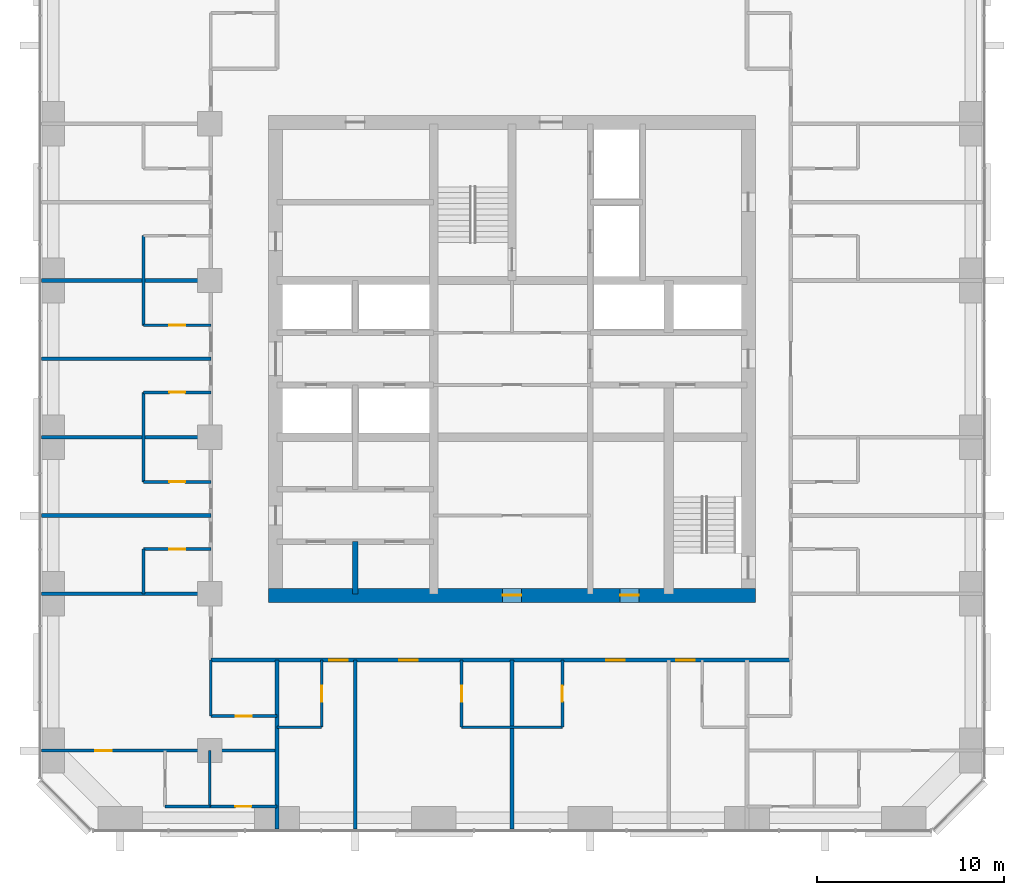
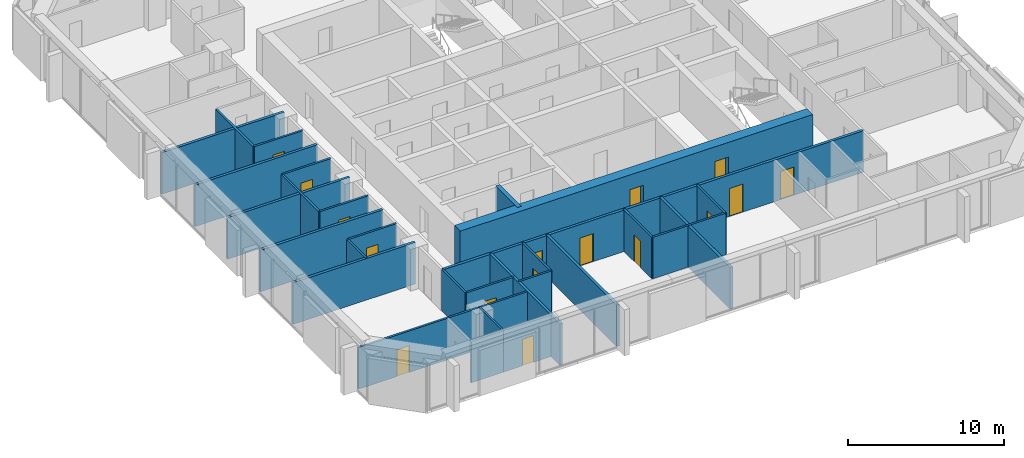
# One storey, part 8 of 13: 29 walls, 16 doors, 16 openings.
"""IFC4 building model written with IfcOpenShell, lengths in metres."""

from ifc_helpers import new_model, si_unit, direction, frame, frame_2d, origin, place, context, subcontext, project, spatial, rectangle, extrude, material, layer, layer_set, type_object, element, fill, save


model = new_model("IFC4")

# Units and contexts
model_context = context("Model", 3, precision=1e-05, world=origin(), true_north=direction((0.0, 1.0)))
body_context = subcontext(model_context, "Body", "Model", "MODEL_VIEW")
ifc_project = project(units=[si_unit("LENGTHUNIT", "METRE"), si_unit("AREAUNIT", "SQUARE_METRE"), si_unit("VOLUMEUNIT", "CUBIC_METRE"), si_unit("PLANEANGLEUNIT", "RADIAN"), si_unit("MASSUNIT", "GRAM", prefix="KILO")], contexts=[model_context])

# Site, building, storey
site_placement = place(None, origin())
site = spatial("IfcSite", under=ifc_project, at=site_placement, CompositionType="ELEMENT")
building_placement = place(site_placement, origin())
building = spatial("IfcBuilding", under=site, at=building_placement, Name="Dunama Terrace Hotel", CompositionType="ELEMENT")
storey_placement = place(building_placement, frame((0.0, 0.0, 173.39990234375)))
storey = spatial("IfcBuildingStorey", under=building, at=storey_placement, Name="L44", CompositionType="ELEMENT", Elevation=173.39990234375)

# Walls
ifc_material_1 = material(Name="Gypsum board partition", Category="masonry")
ifc_layer_1 = layer(ifc_material_1, 0.14990234375)
ifc_layer_set_1 = layer_set([ifc_layer_1], Name="Bathroom partition 150")
wall_type_1 = type_object("IfcWallType", Name="Bathroom partition 150", PredefinedType="PARTITIONING", material=ifc_layer_set_1)
wall_1_placement = place(storey_placement, frame((9.64990234375, 16.800048828125, 0.0), z_axis=(0.0, 0.0, 1.0), x_axis=(0.0, 1.0, 0.0)))
element("IfcWall", 1, at=wall_1_placement, inside=storey, type_object=wall_type_1, Name="Bathroom partition 150 L44", PredefinedType="PARTITIONING", context=body_context, shape_type="SweptSolid", body=[
    extrude(rectangle(XDim=2.39990234375, YDim=0.14990234375, at=frame_2d((1.199951171875, 0.0))), origin(), (0.0, 0.0, 1.0), 3.25),
])
for number, where, z_axis, x_axis, name in (
    (2, (9.64990234375, 22.800048828125, 0.0), (0.0, 0.0, 1.0), (0.0, 1.0, 0.0), "Bathroom partition 150 L44"),
    (3, (9.64990234375, 31.199951171875, 0.0), (0.0, 0.0, 1.0), (0.0, 1.0, 0.0), "Bathroom partition 150 L44"),
):
    element("IfcWall", number, at=place(storey_placement, frame(where, z_axis=z_axis, x_axis=x_axis)), inside=storey, type_object=wall_type_1, Name=name, PredefinedType="PARTITIONING", context=body_context, shape_type="SweptSolid", body=[
        extrude(rectangle(XDim=4.800048828125, YDim=0.14990234375, at=frame_2d((2.39990234375, 0.0))), origin(), (0.0, 0.0, 1.0), 3.25),
    ])
wall_2_placement = place(storey_placement, frame((13.25, 10.25, 0.0), z_axis=(0.0, 0.0, 1.0), x_axis=(0.0, 1.0, 0.0)))
element("IfcWall", 4, at=wall_2_placement, inside=storey, type_object=wall_type_1, Name="Bathroom partition 150 L44", PredefinedType="PARTITIONING", context=body_context, shape_type="SweptSolid", body=[
    extrude(rectangle(XDim=3.0, YDim=0.14990234375, at=frame_2d((1.5, 0.0))), origin(), (0.0, 0.0, 1.0), 3.25),
])

# Wall, opening, door
wall_3_placement = place(storey_placement, frame((19.199951171875, 9.64990234375, 0.0), z_axis=(0.0, 0.0, 1.0), x_axis=(0.0, 1.0, 0.0)))
wall_3 = element("IfcWall", 5, at=wall_3_placement, inside=storey, type_object=wall_type_1, Name="Bathroom partition 150 L44", PredefinedType="PARTITIONING", context=body_context, shape_type="SweptSolid", body=[
    extrude(rectangle(XDim=3.60009765625, YDim=0.14990234375, at=frame_2d((1.800048828125, 0.0))), origin(), (0.0, 0.0, 1.0), 3.25),
])
opening_1_placement = place(wall_3_placement, frame((1.375, 0.0, 0.0)))
opening_1 = element("IfcOpeningElement", 6, at=opening_1_placement, cuts=wall_3, Name="Opening L42-44-010", PredefinedType="OPENING", context=body_context, shape_type="SweptSolid", body=[
    extrude(rectangle(XDim=0.85009765625, YDim=2.10009765625, at=frame_2d((0.425048828125, 1.050048828125))), frame((0.0, 0.0849609375, 0.0), z_axis=(0.0, -1.0, 0.0), x_axis=(1.0, 0.0, 0.0)), (0.0, 0.0, 1.0), 0.169921875),
])
ifc_material_2 = material(Name="Timber door with steel frame", Category="steel")
door_type_1 = type_object("IfcDoorType", Name="Bathroom door 850", OperationType="SINGLE_SWING_LEFT", PredefinedType="DOOR", material=ifc_material_2)
door_1_placement = place(opening_1_placement, origin())
door_1 = element("IfcDoor", 7, at=door_1_placement, inside=storey, type_object=door_type_1, Name="Door to en-suite bathroom L42-44-010, type D2", OperationType="SINGLE_SWING_RIGHT", OverallHeight=2.10009765625, OverallWidth=0.85009765625, PredefinedType="DOOR", context=body_context, shape_type="SweptSolid", body=[
    extrude(rectangle(XDim=0.85009765625, YDim=2.10009765625, at=frame_2d((0.425048828125, 1.050048828125))), frame((0.0, 0.02490234375, 0.0), z_axis=(0.0, -1.0, 0.0), x_axis=(1.0, 0.0, 0.0)), (0.0, 0.0, 1.0), 0.050048828125),
])
fill(opening_1, door_1)

wall_4_placement = place(storey_placement, frame((26.699951171875, 9.64990234375, 0.0), z_axis=(0.0, 0.0, 1.0), x_axis=(0.0, 1.0, 0.0)))
wall_4 = element("IfcWall", 8, at=wall_4_placement, inside=storey, type_object=wall_type_1, Name="Bathroom partition 150 L44", PredefinedType="PARTITIONING", context=body_context, shape_type="SweptSolid", body=[
    extrude(rectangle(XDim=3.60009765625, YDim=0.14990234375, at=frame_2d((1.800048828125, 0.0))), origin(), (0.0, 0.0, 1.0), 3.25),
])
opening_2_placement = place(wall_4_placement, frame((1.375, 0.0, 0.0)))
opening_2 = element("IfcOpeningElement", 9, at=opening_2_placement, cuts=wall_4, Name="Opening L42-44-012", PredefinedType="OPENING", context=body_context, shape_type="SweptSolid", body=[
    extrude(rectangle(XDim=0.85009765625, YDim=2.10009765625, at=frame_2d((0.425048828125, 1.050048828125))), frame((0.0, 0.0849609375, 0.0), z_axis=(0.0, -1.0, 0.0), x_axis=(1.0, 0.0, 0.0)), (0.0, 0.0, 1.0), 0.169921875),
])
door_2_placement = place(opening_2_placement, frame((0.85009765625, 0.0, 0.0), z_axis=(0.0, 0.0, 1.0), x_axis=(-1.0, 0.0, 0.0)))
door_2 = element("IfcDoor", 10, at=door_2_placement, inside=storey, type_object=door_type_1, Name="Door to en-suite bathroom L42-44-012, type D2", OperationType="SINGLE_SWING_LEFT", OverallHeight=2.10009765625, OverallWidth=0.85009765625, PredefinedType="DOOR", context=body_context, shape_type="SweptSolid", body=[
    extrude(rectangle(XDim=0.85009765625, YDim=2.10009765625, at=frame_2d((0.425048828125, 1.050048828125))), frame((0.0, 0.025146484375, 0.0), z_axis=(0.0, -1.0, 0.0), x_axis=(1.0, 0.0, 0.0)), (0.0, 0.0, 1.0), 0.050048828125),
])
fill(opening_2, door_2)

wall_5_placement = place(storey_placement, frame((32.10009765625, 9.64990234375, 0.0), z_axis=(0.0, 0.0, 1.0), x_axis=(0.0, 1.0, 0.0)))
wall_5 = element("IfcWall", 11, at=wall_5_placement, inside=storey, type_object=wall_type_1, Name="Bathroom partition 150 L44", PredefinedType="PARTITIONING", context=body_context, shape_type="SweptSolid", body=[
    extrude(rectangle(XDim=3.60009765625, YDim=0.14990234375, at=frame_2d((1.800048828125, 0.0))), origin(), (0.0, 0.0, 1.0), 3.25),
])
opening_3_placement = place(wall_5_placement, frame((1.375, 0.0, 0.0)))
opening_3 = element("IfcOpeningElement", 12, at=opening_3_placement, cuts=wall_5, Name="Opening L42-44-014", PredefinedType="OPENING", context=body_context, shape_type="SweptSolid", body=[
    extrude(rectangle(XDim=0.85009765625, YDim=2.10009765625, at=frame_2d((0.425048828125, 1.050048828125))), frame((0.0, 0.0849609375, 0.0), z_axis=(0.0, -1.0, 0.0), x_axis=(1.0, 0.0, 0.0)), (0.0, 0.0, 1.0), 0.169921875),
])
door_3_placement = place(opening_3_placement, origin())
door_3 = element("IfcDoor", 13, at=door_3_placement, inside=storey, type_object=door_type_1, Name="Door to en-suite bathroom L42-44-014, type D2", OperationType="SINGLE_SWING_RIGHT", OverallHeight=2.10009765625, OverallWidth=0.85009765625, PredefinedType="DOOR", context=body_context, shape_type="SweptSolid", body=[
    extrude(rectangle(XDim=0.85009765625, YDim=2.10009765625, at=frame_2d((0.425048828125, 1.050048828125))), frame((0.0, 0.02490234375, 0.0), z_axis=(0.0, -1.0, 0.0), x_axis=(1.0, 0.0, 0.0)), (0.0, 0.0, 1.0), 0.050048828125),
])
fill(opening_3, door_3)

wall_6_placement = place(storey_placement, frame((13.199951171875, 5.39990234375, 0.0), z_axis=(0.0, 0.0, 1.0), x_axis=(1.0, 0.0, 0.0)))
wall_6 = element("IfcWall", 14, at=wall_6_placement, inside=storey, type_object=wall_type_1, Name="Bathroom partition 150 L44", PredefinedType="PARTITIONING", context=body_context, shape_type="SweptSolid", body=[
    extrude(rectangle(XDim=3.60009765625, YDim=0.14990234375, at=frame_2d((1.800048828125, 0.0))), origin(), (0.0, 0.0, 1.0), 3.25),
])
opening_4_placement = place(wall_6_placement, frame((1.375, 0.0, 0.0)))
opening_4 = element("IfcOpeningElement", 15, at=opening_4_placement, cuts=wall_6, Name="Opening L42-44-041", PredefinedType="OPENING", context=body_context, shape_type="SweptSolid", body=[
    extrude(rectangle(XDim=0.85009765625, YDim=2.10009765625, at=frame_2d((0.425048828125, 1.050048828125))), frame((0.0, 0.0849609375, 0.0), z_axis=(0.0, -1.0, 0.0), x_axis=(1.0, 0.0, 0.0)), (0.0, 0.0, 1.0), 0.169921875),
])
door_4_placement = place(opening_4_placement, origin())
door_4 = element("IfcDoor", 16, at=door_4_placement, inside=storey, type_object=door_type_1, Name="Door to en-suite bathroom L42-44-041, type D2", OperationType="SINGLE_SWING_RIGHT", OverallHeight=2.10009765625, OverallWidth=0.85009765625, PredefinedType="DOOR", context=body_context, shape_type="SweptSolid", body=[
    extrude(rectangle(XDim=0.85009765625, YDim=2.10009765625, at=frame_2d((0.425048828125, 1.050048828125))), frame((0.0, 0.02490234375, 0.0), z_axis=(0.0, -1.0, 0.0), x_axis=(1.0, 0.0, 0.0)), (0.0, 0.0, 1.0), 0.050048828125),
])
fill(opening_4, door_4)

# Walls
wall_7_placement = place(storey_placement, frame((16.800048828125, 9.64990234375, 0.0), z_axis=(0.0, 0.0, 1.0), x_axis=(1.0, 0.0, 0.0)))
element("IfcWall", 17, at=wall_7_placement, inside=storey, type_object=wall_type_1, Name="Bathroom partition 150 L44", PredefinedType="PARTITIONING", context=body_context, shape_type="SweptSolid", body=[
    extrude(rectangle(XDim=2.39990234375, YDim=0.14990234375, at=frame_2d((1.199951171875, 0.0))), origin(), (0.0, 0.0, 1.0), 3.25),
])
wall_8_placement = place(storey_placement, frame((26.699951171875, 9.64990234375, 0.0), z_axis=(0.0, 0.0, 1.0), x_axis=(1.0, 0.0, 0.0)))
element("IfcWall", 18, at=wall_8_placement, inside=storey, type_object=wall_type_1, Name="Bathroom partition 150 L44", PredefinedType="PARTITIONING", context=body_context, shape_type="SweptSolid", body=[
    extrude(rectangle(XDim=5.400146484375, YDim=0.14990234375, at=frame_2d((2.7001953125, 0.0))), origin(), (0.0, 0.0, 1.0), 3.25),
])

# Wall, opening, door
wall_9_placement = place(storey_placement, frame((13.25, 10.25, 0.0), z_axis=(0.0, 0.0, 1.0), x_axis=(1.0, 0.0, 0.0)))
wall_9 = element("IfcWall", 19, at=wall_9_placement, inside=storey, type_object=wall_type_1, Name="Bathroom partition 150 L44", PredefinedType="PARTITIONING", context=body_context, shape_type="SweptSolid", body=[
    extrude(rectangle(XDim=3.550048828125, YDim=0.14990234375, at=frame_2d((1.77490234375, 0.0))), origin(), (0.0, 0.0, 1.0), 3.25),
])
opening_5_placement = place(wall_9_placement, frame((1.35009765625, 0.0, 0.0)))
opening_5 = element("IfcOpeningElement", 20, at=opening_5_placement, cuts=wall_9, Name="Opening L42-44-039", PredefinedType="OPENING", context=body_context, shape_type="SweptSolid", body=[
    extrude(rectangle(XDim=0.85009765625, YDim=2.10009765625, at=frame_2d((0.425048828125, 1.050048828125))), frame((0.0, 0.0849609375, 0.0), z_axis=(0.0, -1.0, 0.0), x_axis=(1.0, 0.0, 0.0)), (0.0, 0.0, 1.0), 0.169921875),
])
door_5_placement = place(opening_5_placement, origin())
door_5 = element("IfcDoor", 21, at=door_5_placement, inside=storey, type_object=door_type_1, Name="Door to powder room L42-44-039, type D2", OperationType="SINGLE_SWING_RIGHT", OverallHeight=2.10009765625, OverallWidth=0.85009765625, PredefinedType="DOOR", context=body_context, shape_type="SweptSolid", body=[
    extrude(rectangle(XDim=0.85009765625, YDim=2.10009765625, at=frame_2d((0.425048828125, 1.050048828125))), frame((0.0, 0.02490234375, 0.0), z_axis=(0.0, -1.0, 0.0), x_axis=(1.0, 0.0, 0.0)), (0.0, 0.0, 1.0), 0.050048828125),
])
fill(opening_5, door_5)

wall_10_placement = place(storey_placement, frame((9.64990234375, 19.199951171875, 0.0), z_axis=(0.0, 0.0, 1.0), x_axis=(1.0, 0.0, 0.0)))
wall_10 = element("IfcWall", 22, at=wall_10_placement, inside=storey, type_object=wall_type_1, Name="Bathroom partition 150 L44", PredefinedType="PARTITIONING", context=body_context, shape_type="SweptSolid", body=[
    extrude(rectangle(XDim=3.60009765625, YDim=0.14990234375, at=frame_2d((1.800048828125, 0.0))), origin(), (0.0, 0.0, 1.0), 3.25),
])
opening_6_placement = place(wall_10_placement, frame((1.375, 0.0, 0.0)))
opening_6 = element("IfcOpeningElement", 23, at=opening_6_placement, cuts=wall_10, Name="Opening L42-44-027", PredefinedType="OPENING", context=body_context, shape_type="SweptSolid", body=[
    extrude(rectangle(XDim=0.85009765625, YDim=2.10009765625, at=frame_2d((0.425048828125, 1.050048828125))), frame((0.0, 0.0849609375, 0.0), z_axis=(0.0, -1.0, 0.0), x_axis=(1.0, 0.0, 0.0)), (0.0, 0.0, 1.0), 0.169921875),
])
door_6_placement = place(opening_6_placement, frame((0.85009765625, 0.0, 0.0), z_axis=(0.0, 0.0, 1.0), x_axis=(-1.0, 0.0, 0.0)))
door_6 = element("IfcDoor", 24, at=door_6_placement, inside=storey, type_object=door_type_1, Name="Door to en-suite bathroom L42-44-027, type D2", OperationType="SINGLE_SWING_LEFT", OverallHeight=2.10009765625, OverallWidth=0.85009765625, PredefinedType="DOOR", context=body_context, shape_type="SweptSolid", body=[
    extrude(rectangle(XDim=0.85009765625, YDim=2.10009765625, at=frame_2d((0.425048828125, 1.050048828125))), frame((0.0, 0.025146484375, 0.0), z_axis=(0.0, -1.0, 0.0), x_axis=(1.0, 0.0, 0.0)), (0.0, 0.0, 1.0), 0.050048828125),
])
fill(opening_6, door_6)

wall_11_placement = place(storey_placement, frame((9.64990234375, 22.800048828125, 0.0), z_axis=(0.0, 0.0, 1.0), x_axis=(1.0, 0.0, 0.0)))
wall_11 = element("IfcWall", 25, at=wall_11_placement, inside=storey, type_object=wall_type_1, Name="Bathroom partition 150 L44", PredefinedType="PARTITIONING", context=body_context, shape_type="SweptSolid", body=[
    extrude(rectangle(XDim=3.60009765625, YDim=0.14990234375, at=frame_2d((1.800048828125, 0.0))), origin(), (0.0, 0.0, 1.0), 3.25),
])
opening_7_placement = place(wall_11_placement, frame((1.375, 0.0, 0.0)))
opening_7 = element("IfcOpeningElement", 26, at=opening_7_placement, cuts=wall_11, Name="Opening L42-44-029", PredefinedType="OPENING", context=body_context, shape_type="SweptSolid", body=[
    extrude(rectangle(XDim=0.85009765625, YDim=2.10009765625, at=frame_2d((0.425048828125, 1.050048828125))), frame((0.0, 0.0849609375, 0.0), z_axis=(0.0, -1.0, 0.0), x_axis=(1.0, 0.0, 0.0)), (0.0, 0.0, 1.0), 0.169921875),
])
door_7_placement = place(opening_7_placement, origin())
door_7 = element("IfcDoor", 27, at=door_7_placement, inside=storey, type_object=door_type_1, Name="Door to en-suite bathroom L42-44-029, type D2", OperationType="SINGLE_SWING_RIGHT", OverallHeight=2.10009765625, OverallWidth=0.85009765625, PredefinedType="DOOR", context=body_context, shape_type="SweptSolid", body=[
    extrude(rectangle(XDim=0.85009765625, YDim=2.10009765625, at=frame_2d((0.425048828125, 1.050048828125))), frame((0.0, 0.02490234375, 0.0), z_axis=(0.0, -1.0, 0.0), x_axis=(1.0, 0.0, 0.0)), (0.0, 0.0, 1.0), 0.050048828125),
])
fill(opening_7, door_7)

wall_12_placement = place(storey_placement, frame((9.64990234375, 27.60009765625, 0.0), z_axis=(0.0, 0.0, 1.0), x_axis=(1.0, 0.0, 0.0)))
wall_12 = element("IfcWall", 28, at=wall_12_placement, inside=storey, type_object=wall_type_1, Name="Bathroom partition 150 L44", PredefinedType="PARTITIONING", context=body_context, shape_type="SweptSolid", body=[
    extrude(rectangle(XDim=3.60009765625, YDim=0.14990234375, at=frame_2d((1.800048828125, 0.0))), origin(), (0.0, 0.0, 1.0), 3.25),
])
opening_8_placement = place(wall_12_placement, frame((1.375, 0.0, 0.0)))
opening_8 = element("IfcOpeningElement", 29, at=opening_8_placement, cuts=wall_12, Name="Opening L42-44-031", PredefinedType="OPENING", context=body_context, shape_type="SweptSolid", body=[
    extrude(rectangle(XDim=0.85009765625, YDim=2.10009765625, at=frame_2d((0.425048828125, 1.050048828125))), frame((0.0, 0.0849609375, 0.0), z_axis=(0.0, -1.0, 0.0), x_axis=(1.0, 0.0, 0.0)), (0.0, 0.0, 1.0), 0.169921875),
])
door_8_placement = place(opening_8_placement, frame((0.85009765625, 0.0, 0.0), z_axis=(0.0, 0.0, 1.0), x_axis=(-1.0, 0.0, 0.0)))
door_8 = element("IfcDoor", 30, at=door_8_placement, inside=storey, type_object=door_type_1, Name="Door to en-suite bathroom L42-44-031, type D2", OperationType="SINGLE_SWING_LEFT", OverallHeight=2.10009765625, OverallWidth=0.85009765625, PredefinedType="DOOR", context=body_context, shape_type="SweptSolid", body=[
    extrude(rectangle(XDim=0.85009765625, YDim=2.10009765625, at=frame_2d((0.425048828125, 1.050048828125))), frame((0.0, 0.025146484375, 0.0), z_axis=(0.0, -1.0, 0.0), x_axis=(1.0, 0.0, 0.0)), (0.0, 0.0, 1.0), 0.050048828125),
])
fill(opening_8, door_8)

wall_13_placement = place(storey_placement, frame((9.64990234375, 31.199951171875, 0.0), z_axis=(0.0, 0.0, 1.0), x_axis=(1.0, 0.0, 0.0)))
wall_13 = element("IfcWall", 31, at=wall_13_placement, inside=storey, type_object=wall_type_1, Name="Bathroom partition 150 L44", PredefinedType="PARTITIONING", context=body_context, shape_type="SweptSolid", body=[
    extrude(rectangle(XDim=3.60009765625, YDim=0.14990234375, at=frame_2d((1.800048828125, 0.0))), origin(), (0.0, 0.0, 1.0), 3.25),
])
opening_9_placement = place(wall_13_placement, frame((1.375, 0.0, 0.0)))
opening_9 = element("IfcOpeningElement", 32, at=opening_9_placement, cuts=wall_13, Name="Opening L42-44-033", PredefinedType="OPENING", context=body_context, shape_type="SweptSolid", body=[
    extrude(rectangle(XDim=0.85009765625, YDim=2.10009765625, at=frame_2d((0.425048828125, 1.050048828125))), frame((0.0, 0.0849609375, 0.0), z_axis=(0.0, -1.0, 0.0), x_axis=(1.0, 0.0, 0.0)), (0.0, 0.0, 1.0), 0.169921875),
])
door_9_placement = place(opening_9_placement, origin())
door_9 = element("IfcDoor", 33, at=door_9_placement, inside=storey, type_object=door_type_1, Name="Door to en-suite bathroom L42-44-033, type D2", OperationType="SINGLE_SWING_RIGHT", OverallHeight=2.10009765625, OverallWidth=0.85009765625, PredefinedType="DOOR", context=body_context, shape_type="SweptSolid", body=[
    extrude(rectangle(XDim=0.85009765625, YDim=2.10009765625, at=frame_2d((0.425048828125, 1.050048828125))), frame((0.0, 0.02490234375, 0.0), z_axis=(0.0, -1.0, 0.0), x_axis=(1.0, 0.0, 0.0)), (0.0, 0.0, 1.0), 0.050048828125),
])
fill(opening_9, door_9)

# Wall
ifc_material_3 = material(Name="Concrete C50/60", Category="concrete")
ifc_layer_2 = layer(ifc_material_3, 0.300048828125)
ifc_layer_set_2 = layer_set([ifc_layer_2], Name="Core inner wall 300")
wall_type_2 = type_object("IfcWallType", Name="Core inner wall 300", PredefinedType="SHEAR", material=ifc_layer_set_2)
wall_14_placement = place(storey_placement, frame((21.0, 16.800048828125, -0.349853515625), z_axis=(0.0, 0.0, 1.0), x_axis=(0.0, 1.0, 0.0)))
element("IfcWall", 34, at=wall_14_placement, inside=storey, type_object=wall_type_2, Name="Core inner wall 300 L44", PredefinedType="SHEAR", context=body_context, shape_type="SweptSolid", body=[
    extrude(rectangle(XDim=2.800048828125, YDim=0.300048828125, at=frame_2d((1.39990234375, 0.0))), origin(), (0.0, 0.0, 1.0), 3.599853515625),
])

# Wall, openings, doors
ifc_material_4 = material(Name="Concrete C60/75", Category="concrete")
ifc_layer_3 = layer(ifc_material_4, 0.75)
ifc_layer_set_3 = layer_set([ifc_layer_3], Name="Core wall 750")
wall_type_3 = type_object("IfcWallType", Name="Core wall 750", PredefinedType="SHEAR", material=ifc_layer_set_3)
wall_15_placement = place(storey_placement, frame((16.35009765625, 16.72509765625, -0.349853515625), z_axis=(0.0, 0.0, 1.0), x_axis=(1.0, 0.0, 0.0)))
wall_15 = element("IfcWall", 35, at=wall_15_placement, inside=storey, type_object=wall_type_3, Name="Core wall south L44", PredefinedType="SHEAR", context=body_context, shape_type="SweptSolid", body=[
    extrude(rectangle(XDim=26.099853515625, YDim=0.75, at=frame_2d((13.0498046875, 0.0))), origin(), (0.0, 0.0, 1.0), 3.599853515625),
])
opening_10_placement = place(wall_15_placement, frame((12.550048828125, 0.0, 0.35009765625)))
opening_10 = element("IfcOpeningElement", 36, at=opening_10_placement, cuts=wall_15, Name="Opening L42-44-075", PredefinedType="OPENING", context=body_context, shape_type="SweptSolid", body=[
    extrude(rectangle(XDim=1.0, YDim=2.10009765625, at=frame_2d((0.5, 1.050048828125))), frame((0.0, 0.385009765625, 0.0), z_axis=(0.0, -1.0, 0.0), x_axis=(1.0, 0.0, 0.0)), (0.0, 0.0, 1.0), 0.77001953125),
])
opening_11_placement = place(wall_15_placement, frame((18.85009765625, 0.0, 0.35009765625)))
opening_11 = element("IfcOpeningElement", 37, at=opening_11_placement, cuts=wall_15, Name="Opening L42-44-077", PredefinedType="OPENING", context=body_context, shape_type="SweptSolid", body=[
    extrude(rectangle(XDim=1.0, YDim=2.10009765625, at=frame_2d((0.5, 1.050048828125))), frame((0.0, 0.385009765625, 0.0), z_axis=(0.0, -1.0, 0.0), x_axis=(1.0, 0.0, 0.0)), (0.0, 0.0, 1.0), 0.77001953125),
])
ifc_material_5 = material(Name="Timber door with steel frame", Category="steel")
door_type_2 = type_object("IfcDoorType", Name="Service door 1000", OperationType="SINGLE_SWING_LEFT", PredefinedType="DOOR", material=ifc_material_5)
door_10_placement = place(opening_10_placement, origin())
door_10 = element("IfcDoor", 38, at=door_10_placement, inside=storey, type_object=door_type_2, Name="Door to corridor air handling room L42-44-075, type D7", OperationType="SINGLE_SWING_LEFT", OverallHeight=2.10009765625, OverallWidth=1.0, PredefinedType="DOOR", context=body_context, shape_type="SweptSolid", body=[
    extrude(rectangle(XDim=1.0, YDim=2.10009765625, at=frame_2d((0.5, 1.050048828125))), frame((0.0, 0.02490234375, 0.0), z_axis=(0.0, -1.0, 0.0), x_axis=(1.0, 0.0, 0.0)), (0.0, 0.0, 1.0), 0.050048828125),
])
fill(opening_10, door_10)
door_11_placement = place(opening_11_placement, origin())
door_11 = element("IfcDoor", 39, at=door_11_placement, inside=storey, type_object=door_type_2, Name="Door to water riser room L42-44-077, type D7", OperationType="SINGLE_SWING_RIGHT", OverallHeight=2.10009765625, OverallWidth=1.0, PredefinedType="DOOR", context=body_context, shape_type="SweptSolid", body=[
    extrude(rectangle(XDim=1.0, YDim=2.10009765625, at=frame_2d((0.5, 1.050048828125))), frame((0.0, 0.02490234375, 0.0), z_axis=(0.0, -1.0, 0.0), x_axis=(1.0, 0.0, 0.0)), (0.0, 0.0, 1.0), 0.050048828125),
])
fill(opening_11, door_11)

ifc_material_6 = material(Name="Concrete blockwork", Category="masonry")
ifc_layer_4 = layer(ifc_material_6, 0.199951171875)
ifc_layer_set_4 = layer_set([ifc_layer_4], Name="Corridor partition 200")
wall_type_4 = type_object("IfcWallType", Name="Corridor partition 200", PredefinedType="PARTITIONING", material=ifc_layer_set_4)
wall_16_placement = place(storey_placement, frame((44.35009765625, 13.25, 0.0), z_axis=(0.0, 0.0, 1.0), x_axis=(-1.0, 0.0, 0.0)))
wall_16 = element("IfcWall", 40, at=wall_16_placement, inside=storey, type_object=wall_type_4, Name="Corridor partition 200 L44", PredefinedType="PARTITIONING", context=body_context, shape_type="SweptSolid", body=[
    extrude(rectangle(XDim=31.10009765625, YDim=0.199951171875, at=frame_2d((15.550048828125, 0.0))), origin(), (0.0, 0.0, 1.0), 3.25),
])
opening_12_placement = place(wall_16_placement, frame((23.75, 0.0, 0.0)))
opening_12 = element("IfcOpeningElement", 41, at=opening_12_placement, cuts=wall_16, Name="Opening L42-44-009", PredefinedType="OPENING", context=body_context, shape_type="SweptSolid", body=[
    extrude(rectangle(XDim=1.0, YDim=2.199951171875, at=frame_2d((0.5, 1.10009765625))), frame((0.0, 0.10986328125, 0.0), z_axis=(0.0, -1.0, 0.0), x_axis=(1.0, 0.0, 0.0)), (0.0, 0.0, 1.0), 0.219970703125),
])
opening_13_placement = place(wall_16_placement, frame((20.0, 0.0, 0.0)))
opening_13 = element("IfcOpeningElement", 42, at=opening_13_placement, cuts=wall_16, Name="Opening L42-44-011", PredefinedType="OPENING", context=body_context, shape_type="SweptSolid", body=[
    extrude(rectangle(XDim=1.0, YDim=2.199951171875, at=frame_2d((0.5, 1.10009765625))), frame((0.0, 0.10986328125, 0.0), z_axis=(0.0, -1.0, 0.0), x_axis=(1.0, 0.0, 0.0)), (0.0, 0.0, 1.0), 0.219970703125),
])
opening_14_placement = place(wall_16_placement, frame((8.89990234375, 0.0, 0.0)))
opening_14 = element("IfcOpeningElement", 43, at=opening_14_placement, cuts=wall_16, Name="Opening L42-44-013", PredefinedType="OPENING", context=body_context, shape_type="SweptSolid", body=[
    extrude(rectangle(XDim=1.0, YDim=2.199951171875, at=frame_2d((0.5, 1.10009765625))), frame((0.0, 0.10986328125, 0.0), z_axis=(0.0, -1.0, 0.0), x_axis=(1.0, 0.0, 0.0)), (0.0, 0.0, 1.0), 0.219970703125),
])
opening_15_placement = place(wall_16_placement, frame((5.14990234375, 0.0, 0.0)))
opening_15 = element("IfcOpeningElement", 44, at=opening_15_placement, cuts=wall_16, Name="Opening L42-44-015", PredefinedType="OPENING", context=body_context, shape_type="SweptSolid", body=[
    extrude(rectangle(XDim=1.0, YDim=2.199951171875, at=frame_2d((0.5, 1.10009765625))), frame((0.0, 0.10986328125, 0.0), z_axis=(0.0, -1.0, 0.0), x_axis=(1.0, 0.0, 0.0)), (0.0, 0.0, 1.0), 0.219970703125),
])
ifc_material_7 = material(Name="Timber door with steel frame", Category="steel")
door_type_3 = type_object("IfcDoorType", Name="Guest room door 1000", OperationType="SINGLE_SWING_LEFT", PredefinedType="DOOR", material=ifc_material_7)
door_12_placement = place(opening_12_placement, origin())
door_12 = element("IfcDoor", 45, at=door_12_placement, inside=storey, type_object=door_type_3, Name="Door to club room L42-44-009, type D1", OperationType="SINGLE_SWING_LEFT", OverallHeight=2.199951171875, OverallWidth=1.0, PredefinedType="DOOR", context=body_context, shape_type="SweptSolid", body=[
    extrude(rectangle(XDim=1.0, YDim=2.199951171875, at=frame_2d((0.5, 1.10009765625))), frame((0.0, 0.02490234375, 0.0), z_axis=(0.0, -1.0, 0.0), x_axis=(1.0, 0.0, 0.0)), (0.0, 0.0, 1.0), 0.050048828125),
])
fill(opening_12, door_12)
door_13_placement = place(opening_13_placement, origin())
door_13 = element("IfcDoor", 46, at=door_13_placement, inside=storey, type_object=door_type_3, Name="Door to junior suite L42-44-011, type D1", OperationType="SINGLE_SWING_RIGHT", OverallHeight=2.199951171875, OverallWidth=1.0, PredefinedType="DOOR", context=body_context, shape_type="SweptSolid", body=[
    extrude(rectangle(XDim=1.0, YDim=2.199951171875, at=frame_2d((0.5, 1.10009765625))), frame((0.0, 0.02490234375, 0.0), z_axis=(0.0, -1.0, 0.0), x_axis=(1.0, 0.0, 0.0)), (0.0, 0.0, 1.0), 0.050048828125),
])
fill(opening_13, door_13)
door_14_placement = place(opening_14_placement, origin())
door_14 = element("IfcDoor", 47, at=door_14_placement, inside=storey, type_object=door_type_3, Name="Door to junior suite L42-44-013, type D1", OperationType="SINGLE_SWING_LEFT", OverallHeight=2.199951171875, OverallWidth=1.0, PredefinedType="DOOR", context=body_context, shape_type="SweptSolid", body=[
    extrude(rectangle(XDim=1.0, YDim=2.199951171875, at=frame_2d((0.5, 1.10009765625))), frame((0.0, 0.02490234375, 0.0), z_axis=(0.0, -1.0, 0.0), x_axis=(1.0, 0.0, 0.0)), (0.0, 0.0, 1.0), 0.050048828125),
])
fill(opening_14, door_14)
door_15_placement = place(opening_15_placement, origin())
door_15 = element("IfcDoor", 48, at=door_15_placement, inside=storey, type_object=door_type_3, Name="Door to club room L42-44-015, type D1", OperationType="SINGLE_SWING_RIGHT", OverallHeight=2.199951171875, OverallWidth=1.0, PredefinedType="DOOR", context=body_context, shape_type="SweptSolid", body=[
    extrude(rectangle(XDim=1.0, YDim=2.199951171875, at=frame_2d((0.5, 1.10009765625))), frame((0.0, 0.02490234375, 0.0), z_axis=(0.0, -1.0, 0.0), x_axis=(1.0, 0.0, 0.0)), (0.0, 0.0, 1.0), 0.050048828125),
])
fill(opening_15, door_15)

# Walls
ifc_material_8 = material(Name="Concrete blockwork", Category="masonry")
ifc_layer_5 = layer(ifc_material_8, 0.199951171875)
ifc_layer_set_5 = layer_set([ifc_layer_5], Name="Party wall 200")
wall_type_5 = type_object("IfcWallType", Name="Party wall 200", PredefinedType="PARTITIONING", material=ifc_layer_set_5)
for number, where, z_axis, x_axis, name in (
    (49, (16.800048828125, 4.181884765625, 0.0), (0.0, 0.0, 1.0), (0.0, 1.0, 0.0), "Party wall 200 L44"),
    (50, (21.0, 4.181884765625, 0.0), (0.0, 0.0, 1.0), (0.0, 1.0, 0.0), "Party wall 200 L44"),
    (51, (29.39990234375, 4.181884765625, 0.0), (0.0, 0.0, 1.0), (0.0, 1.0, 0.0), "Party wall 200 L44"),
    (52, (4.181884765625, 16.800048828125, 0.0), (0.0, 0.0, 1.0), (1.0, 0.0, 0.0), "Party wall 200 L44"),
    (53, (4.181884765625, 21.0, 0.0), (0.0, 0.0, 1.0), (1.0, 0.0, 0.0), "Party wall 200 L44"),
    (54, (4.181884765625, 25.199951171875, 0.0), (0.0, 0.0, 1.0), (1.0, 0.0, 0.0), "Party wall 200 L44"),
    (55, (4.181884765625, 29.39990234375, 0.0), (0.0, 0.0, 1.0), (1.0, 0.0, 0.0), "Party wall 200 L44"),
    (56, (4.181884765625, 33.60009765625, 0.0), (0.0, 0.0, 1.0), (1.0, 0.0, 0.0), "Party wall 200 L44"),
):
    element("IfcWall", number, at=place(storey_placement, frame(where, z_axis=z_axis, x_axis=x_axis)), inside=storey, type_object=wall_type_5, Name=name, PredefinedType="PARTITIONING", context=body_context, shape_type="SweptSolid", body=[
        extrude(rectangle(XDim=9.068115234375, YDim=0.199951171875, at=frame_2d((4.5341796875, 0.0))), origin(), (0.0, 0.0, 1.0), 3.25),
    ])
ifc_material_9 = material(Name="Gypsum board partition", Category="masonry")
ifc_layer_6 = layer(ifc_material_9, 0.14990234375)
ifc_layer_set_6 = layer_set([ifc_layer_6], Name="Room partition 150")
wall_type_6 = type_object("IfcWallType", Name="Room partition 150", PredefinedType="PARTITIONING", material=ifc_layer_set_6)
wall_17_placement = place(storey_placement, frame((13.199951171875, 5.39990234375, 0.0), z_axis=(0.0, 0.0, 1.0), x_axis=(0.0, 1.0, 0.0)))
element("IfcWall", 57, at=wall_17_placement, inside=storey, type_object=wall_type_6, Name="Room partition 150 L44", PredefinedType="PARTITIONING", context=body_context, shape_type="SweptSolid", body=[
    extrude(rectangle(XDim=3.0, YDim=0.14990234375, at=frame_2d((1.5, 0.0))), origin(), (0.0, 0.0, 1.0), 3.25),
])
wall_18_placement = place(storey_placement, frame((10.800048828125, 5.39990234375, 0.0), z_axis=(0.0, 0.0, 1.0), x_axis=(1.0, 0.0, 0.0)))
element("IfcWall", 58, at=wall_18_placement, inside=storey, type_object=wall_type_6, Name="Room partition 150 L44", PredefinedType="PARTITIONING", context=body_context, shape_type="SweptSolid", body=[
    extrude(rectangle(XDim=2.39990234375, YDim=0.14990234375, at=frame_2d((1.199951171875, 0.0))), origin(), (0.0, 0.0, 1.0), 3.25),
])

# Wall, opening, door
wall_19_placement = place(storey_placement, frame((4.181884765625, 8.39990234375, 0.0), z_axis=(0.0, 0.0, 1.0), x_axis=(1.0, 0.0, 0.0)))
wall_19 = element("IfcWall", 59, at=wall_19_placement, inside=storey, type_object=wall_type_6, Name="Room partition 150 L44", PredefinedType="PARTITIONING", context=body_context, shape_type="SweptSolid", body=[
    extrude(rectangle(XDim=12.6181640625, YDim=0.14990234375, at=frame_2d((6.30908203125, 0.0))), origin(), (0.0, 0.0, 1.0), 3.25),
])
opening_16_placement = place(wall_19_placement, frame((2.867919921875, 0.0, 0.0)))
opening_16 = element("IfcOpeningElement", 60, at=opening_16_placement, cuts=wall_19, Name="Opening L42-44-040", PredefinedType="OPENING", context=body_context, shape_type="SweptSolid", body=[
    extrude(rectangle(XDim=0.89990234375, YDim=2.10009765625, at=frame_2d((0.449951171875, 1.050048828125))), frame((0.0, 0.0849609375, 0.0), z_axis=(0.0, -1.0, 0.0), x_axis=(1.0, 0.0, 0.0)), (0.0, 0.0, 1.0), 0.169921875),
])
ifc_material_10 = material(Name="Timber door with steel frame", Category="steel")
door_type_4 = type_object("IfcDoorType", Name="Suite internal door 900", OperationType="SINGLE_SWING_LEFT", PredefinedType="DOOR", material=ifc_material_10)
door_16_placement = place(opening_16_placement, frame((0.89990234375, 0.0, 0.0), z_axis=(0.0, 0.0, 1.0), x_axis=(-1.0, 0.0, 0.0)))
door_16 = element("IfcDoor", 61, at=door_16_placement, inside=storey, type_object=door_type_4, Name="Door to corner suite bedroom L42-44-040, type D16", OperationType="SINGLE_SWING_RIGHT", OverallHeight=2.10009765625, OverallWidth=0.89990234375, PredefinedType="DOOR", context=body_context, shape_type="SweptSolid", body=[
    extrude(rectangle(XDim=0.89990234375, YDim=2.10009765625, at=frame_2d((0.449951171875, 1.050048828125))), frame((0.0, 0.025146484375, 0.0), z_axis=(0.0, -1.0, 0.0), x_axis=(1.0, 0.0, 0.0)), (0.0, 0.0, 1.0), 0.050048828125),
])
fill(opening_16, door_16)

save(model, "model.ifc")
